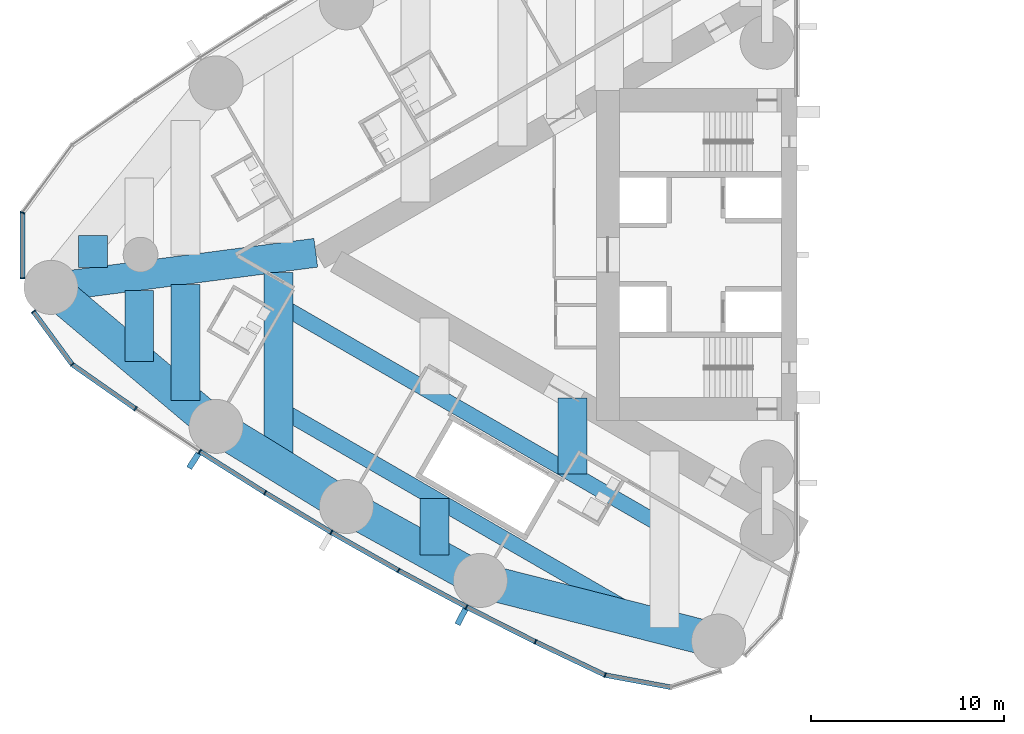
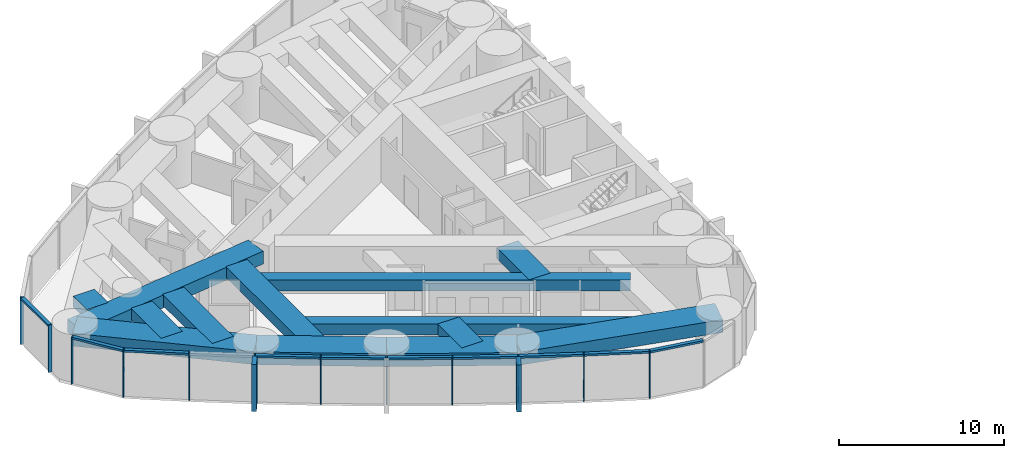
# One storey, part 2 of 19: 24 members, 13 beams, 2 elements without a shape of their own.
"""IFC4 building model written with IfcOpenShell, lengths in metres."""

from ifc_helpers import new_model, si_unit, direction, frame, origin, origin_2d, place, context, subcontext, project, spatial, rectangle, hollow_rectangle, extrude, material, material_profile, profile_set, type_object, element, aggregate, save


model = new_model("IFC4")

# Units and contexts
model_context = context("Model", 3, precision=1e-05, world=origin(), true_north=direction((0.0, 1.0)))
body_context = subcontext(model_context, "Body", "Model", "MODEL_VIEW")
ifc_project = project(units=[si_unit("LENGTHUNIT", "METRE"), si_unit("AREAUNIT", "SQUARE_METRE"), si_unit("VOLUMEUNIT", "CUBIC_METRE"), si_unit("PLANEANGLEUNIT", "RADIAN"), si_unit("MASSUNIT", "GRAM", prefix="KILO")], contexts=[model_context])

# Site, building, storey
site_placement = place(None, origin())
site = spatial("IfcSite", under=ifc_project, at=site_placement, CompositionType="ELEMENT")
building_placement = place(site_placement, origin())
building = spatial("IfcBuilding", under=site, at=building_placement, Name="Lancet Gate Hotel", CompositionType="ELEMENT")
storey_placement = place(building_placement, frame((0.0, 0.0, 170.300048828125)))
storey = spatial("IfcBuildingStorey", under=building, at=storey_placement, Name="L45", CompositionType="ELEMENT", Elevation=170.300048828125)

# Curtain wall, members
ifc_material_1 = material(Name="Aluminium curtain wall", Category="aluminium")
curtain_wall_type = type_object("IfcCurtainWallType", Name="Tower unitised curtain wall", PredefinedType="USERDEFINED", material=ifc_material_1)
curtain_wall_1_placement = place(storey_placement, origin())
curtain_wall_1 = element("IfcCurtainWall", 1, at=curtain_wall_1_placement, inside=storey, type_object=curtain_wall_type, Name="T1 L45 curtain wall 2", ObjectType="UNITISED CURTAIN WALL", PredefinedType="USERDEFINED")
ifc_material_2 = material(Name="Aluminium mullion", Category="aluminium")
ifc_material_profile_1 = material_profile(ifc_material_2, rectangle(XDim=0.06494140625, YDim=0.25, at=origin_2d()), Name="MULLION 65x250")
ifc_profile_set_1 = profile_set([ifc_material_profile_1], Name="Aluminium mullion")
member_type_1 = type_object("IfcMemberType", Name="Aluminium mullion 65x250", PredefinedType="MULLION", material=ifc_profile_set_1)
member_1_placement = place(storey_placement, frame((-67.61572265625, 2.177490234375, 0.0), z_axis=(0.0, 0.0, 1.0), x_axis=(-0.349199411078, -0.937048435943, 0.0)))
member_1 = element("IfcMember", 2, at=member_1_placement, type_object=member_type_1, Name="T1 L45 curtain wall 2 mullion 12", PredefinedType="MULLION", context=body_context, shape_type="SweptSolid", body=[
    extrude(rectangle(XDim=0.06494140625, YDim=0.25, at=origin_2d()), origin(), (0.0, 0.0, 1.0), 3.5),
])
member_2_placement = place(storey_placement, frame((-67.61572265625, -1.220458984375, 0.0), z_axis=(0.0, 0.0, 1.0), x_axis=(0.0, -1.0, 0.0)))
member_2 = element("IfcMember", 3, at=member_2_placement, type_object=member_type_1, Name="T1 L45 curtain wall 2 mullion 13", PredefinedType="MULLION", context=body_context, shape_type="SweptSolid", body=[
    extrude(rectangle(XDim=0.06494140625, YDim=0.25, at=origin_2d()), origin(), (0.0, 0.0, 1.0), 3.5),
])

curtain_wall_2_placement = place(storey_placement, origin())
curtain_wall_2 = element("IfcCurtainWall", 4, at=curtain_wall_2_placement, inside=storey, type_object=curtain_wall_type, Name="T1 L45 curtain wall 3", ObjectType="UNITISED CURTAIN WALL", PredefinedType="USERDEFINED")
member_3_placement = place(storey_placement, frame((-67.05029296875, -2.948486328125, 0.0), z_axis=(0.0, 0.0, 1.0), x_axis=(0.591299785592, -0.806451835858, 0.0)))
member_3 = element("IfcMember", 5, at=member_3_placement, type_object=member_type_1, Name="T1 L45 curtain wall 3 mullion 1", PredefinedType="MULLION", context=body_context, shape_type="SweptSolid", body=[
    extrude(rectangle(XDim=0.06494140625, YDim=0.25, at=origin_2d()), origin(), (0.0, 0.0, 1.0), 3.5),
])
member_4_placement = place(storey_placement, frame((-65.040283203125, -5.68994140625, 0.0), z_axis=(0.0, 0.0, 1.0), x_axis=(0.724381882759, -0.689398932354, 0.0)))
member_4 = element("IfcMember", 6, at=member_4_placement, type_object=member_type_1, Name="T1 L45 curtain wall 3 mullion 2", PredefinedType="MULLION", context=body_context, shape_type="SweptSolid", body=[
    extrude(rectangle(XDim=0.06494140625, YDim=0.25, at=origin_2d()), origin(), (0.0, 0.0, 1.0), 3.5),
])
member_5_placement = place(storey_placement, frame((-61.7626953125, -7.980712890625, 0.0), z_axis=(0.0, 0.0, 1.0), x_axis=(0.826312172542, -0.563212387568, 0.0)))
member_5 = element("IfcMember", 7, at=member_5_placement, type_object=member_type_1, Name="T1 L45 curtain wall 3 mullion 3", PredefinedType="MULLION", context=body_context, shape_type="SweptSolid", body=[
    extrude(rectangle(XDim=0.06494140625, YDim=0.25, at=origin_2d()), origin(), (0.0, 0.0, 1.0), 3.5),
])
member_6_placement = place(storey_placement, frame((-58.43212890625, -10.194091796875, 0.0), z_axis=(0.0, 0.0, 1.0), x_axis=(0.839331119324, -0.54362052218, 0.0)))
member_6 = element("IfcMember", 8, at=member_6_placement, type_object=member_type_1, Name="T1 L45 curtain wall 3 mullion 4", PredefinedType="MULLION", context=body_context, shape_type="SweptSolid", body=[
    extrude(rectangle(XDim=0.06494140625, YDim=0.25, at=origin_2d()), origin(), (0.0, 0.0, 1.0), 3.5),
])
member_7_placement = place(storey_placement, frame((-55.05029296875, -12.328369140625, 0.0), z_axis=(0.0, 0.0, 1.0), x_axis=(0.851885635531, -0.52372785297, 0.0)))
member_7 = element("IfcMember", 9, at=member_7_placement, type_object=member_type_1, Name="T1 L45 curtain wall 3 mullion 5", PredefinedType="MULLION", context=body_context, shape_type="SweptSolid", body=[
    extrude(rectangle(XDim=0.06494140625, YDim=0.25, at=origin_2d()), origin(), (0.0, 0.0, 1.0), 3.5),
])
member_8_placement = place(storey_placement, frame((-51.619384765625, -14.38232421875, 0.0), z_axis=(0.0, 0.0, 1.0), x_axis=(0.863968774311, -0.503545387245, 0.0)))
member_8 = element("IfcMember", 10, at=member_8_placement, type_object=member_type_1, Name="T1 L45 curtain wall 3 mullion 6", PredefinedType="MULLION", context=body_context, shape_type="SweptSolid", body=[
    extrude(rectangle(XDim=0.06494140625, YDim=0.25, at=origin_2d()), origin(), (0.0, 0.0, 1.0), 3.5),
])
member_9_placement = place(storey_placement, frame((-48.140869140625, -16.355224609375, 0.0), z_axis=(0.0, 0.0, 1.0), x_axis=(0.87557384965, -0.483084292654, 0.0)))
member_9 = element("IfcMember", 11, at=member_9_placement, type_object=member_type_1, Name="T1 L45 curtain wall 3 mullion 7", PredefinedType="MULLION", context=body_context, shape_type="SweptSolid", body=[
    extrude(rectangle(XDim=0.06494140625, YDim=0.25, at=origin_2d()), origin(), (0.0, 0.0, 1.0), 3.5),
])
member_10_placement = place(storey_placement, frame((-44.6171875, -18.245849609375, 0.0), z_axis=(0.0, 0.0, 1.0), x_axis=(0.886694440064, -0.462355891019, 0.0)))
member_10 = element("IfcMember", 12, at=member_10_placement, type_object=member_type_1, Name="T1 L45 curtain wall 3 mullion 8", PredefinedType="MULLION", context=body_context, shape_type="SweptSolid", body=[
    extrude(rectangle(XDim=0.06494140625, YDim=0.25, at=origin_2d()), origin(), (0.0, 0.0, 1.0), 3.5),
])
member_11_placement = place(storey_placement, frame((-41.0498046875, -20.052978515625, 0.0), z_axis=(0.0, 0.0, 1.0), x_axis=(0.897324392142, -0.441371652088, 0.0)))
member_11 = element("IfcMember", 13, at=member_11_placement, type_object=member_type_1, Name="T1 L45 curtain wall 3 mullion 9", PredefinedType="MULLION", context=body_context, shape_type="SweptSolid", body=[
    extrude(rectangle(XDim=0.06494140625, YDim=0.25, at=origin_2d()), origin(), (0.0, 0.0, 1.0), 3.5),
])
member_12_placement = place(storey_placement, frame((-37.44091796875, -21.775634765625, 0.0), z_axis=(0.0, 0.0, 1.0), x_axis=(0.948119321052, -0.317914694609, 0.0)))
member_12 = element("IfcMember", 14, at=member_12_placement, type_object=member_type_1, Name="T1 L45 curtain wall 3 mullion 10", PredefinedType="MULLION", context=body_context, shape_type="SweptSolid", body=[
    extrude(rectangle(XDim=0.06494140625, YDim=0.25, at=origin_2d()), origin(), (0.0, 0.0, 1.0), 3.5),
])

# Member
ifc_material_3 = material(Name="Aluminium transom", Category="aluminium")
ifc_material_profile_2 = material_profile(ifc_material_3, rectangle(XDim=0.25, YDim=0.14990234375, at=origin_2d()), Name="TRANSOM 250x150")
ifc_profile_set_2 = profile_set([ifc_material_profile_2], Name="Aluminium transom")
member_type_2 = type_object("IfcMemberType", Name="Aluminium transom 250x150", PredefinedType="USERDEFINED", material=ifc_profile_set_2)
member_13_placement = place(storey_placement, frame((-67.61572265625, 2.14501953125, 3.425048828125), z_axis=(0.0, -1.0, 0.0), x_axis=(1.0, 0.0, 0.0)))
member_13 = element("IfcMember", 15, at=member_13_placement, type_object=member_type_2, Name="T1 L45 curtain wall 2 transom 12", ObjectType="TRANSOM", PredefinedType="USERDEFINED", context=body_context, shape_type="SweptSolid", body=[
    extrude(rectangle(XDim=0.25, YDim=0.14990234375, at=origin_2d()), origin(), (0.0, 0.0, 1.0), 3.3330078125),
])

aggregate(curtain_wall_1, [member_1, member_2, member_13])

member_14_placement = place(storey_placement, frame((-67.031005859375, -2.974853515625, 3.425048828125), z_axis=(0.591306519832, -0.806446898193, 0.0), x_axis=(0.806446898193, 0.591306519832, 0.0)))
member_14 = element("IfcMember", 16, at=member_14_placement, type_object=member_type_2, Name="T1 L45 curtain wall 3 transom 1", ObjectType="TRANSOM", PredefinedType="USERDEFINED", context=body_context, shape_type="SweptSolid", body=[
    extrude(rectangle(XDim=0.25, YDim=0.14990234375, at=origin_2d()), origin(), (0.0, 0.0, 1.0), 3.333984375),
])

member_15_placement = place(storey_placement, frame((-65.013671875, -5.70849609375, 3.425048828125), z_axis=(0.819636985462, -0.572883244704, 0.0), x_axis=(0.572883244704, 0.819636985462, 0.0)))
member_15 = element("IfcMember", 17, at=member_15_placement, type_object=member_type_2, Name="T1 L45 curtain wall 3 transom 2", ObjectType="TRANSOM", PredefinedType="USERDEFINED", context=body_context, shape_type="SweptSolid", body=[
    extrude(rectangle(XDim=0.25, YDim=0.14990234375, at=origin_2d()), origin(), (0.0, 0.0, 1.0), 3.933837890625),
])

member_16_placement = place(storey_placement, frame((-58.40478515625, -10.21142578125, 3.425048828125), z_axis=(0.845671711095, -0.53370343549, 0.0), x_axis=(0.53370343549, 0.845671711095, 0.0)))
member_16 = element("IfcMember", 18, at=member_16_placement, type_object=member_type_2, Name="T1 L45 curtain wall 3 transom 4", ObjectType="TRANSOM", PredefinedType="USERDEFINED", context=body_context, shape_type="SweptSolid", body=[
    extrude(rectangle(XDim=0.25, YDim=0.14990234375, at=origin_2d()), origin(), (0.0, 0.0, 1.0), 3.93408203125),
])

member_17_placement = place(storey_placement, frame((-55.0224609375, -12.344970703125, 3.425048828125), z_axis=(0.857985365092, -0.513674131419, 0.0), x_axis=(0.513674131419, 0.857985365092, 0.0)))
member_17 = element("IfcMember", 19, at=member_17_placement, type_object=member_type_2, Name="T1 L45 curtain wall 3 transom 5", ObjectType="TRANSOM", PredefinedType="USERDEFINED", context=body_context, shape_type="SweptSolid", body=[
    extrude(rectangle(XDim=0.25, YDim=0.14990234375, at=origin_2d()), origin(), (0.0, 0.0, 1.0), 3.933837890625),
])

member_18_placement = place(storey_placement, frame((-51.591064453125, -14.3984375, 3.425048828125), z_axis=(0.869819807367, -0.493369539709, 0.0), x_axis=(0.493369539709, 0.869819807367, 0.0)))
member_18 = element("IfcMember", 20, at=member_18_placement, type_object=member_type_2, Name="T1 L45 curtain wall 3 transom 6", ObjectType="TRANSOM", PredefinedType="USERDEFINED", context=body_context, shape_type="SweptSolid", body=[
    extrude(rectangle(XDim=0.25, YDim=0.14990234375, at=origin_2d()), origin(), (0.0, 0.0, 1.0), 3.93408203125),
])

member_19_placement = place(storey_placement, frame((-48.1123046875, -16.37060546875, 3.425048828125), z_axis=(0.881185491994, -0.472770693571, 0.0), x_axis=(0.472770693571, 0.881185491994, 0.0)))
member_19 = element("IfcMember", 21, at=member_19_placement, type_object=member_type_2, Name="T1 L45 curtain wall 3 transom 7", ObjectType="TRANSOM", PredefinedType="USERDEFINED", context=body_context, shape_type="SweptSolid", body=[
    extrude(rectangle(XDim=0.25, YDim=0.14990234375, at=origin_2d()), origin(), (0.0, 0.0, 1.0), 3.93408203125),
])

member_20_placement = place(storey_placement, frame((-44.588134765625, -18.260498046875, 3.425048828125), z_axis=(0.892081477453, -0.451874581699, 0.0), x_axis=(0.451874581699, 0.892081477453, 0.0)))
member_20 = element("IfcMember", 22, at=member_20_placement, type_object=member_type_2, Name="T1 L45 curtain wall 3 transom 8", ObjectType="TRANSOM", PredefinedType="USERDEFINED", context=body_context, shape_type="SweptSolid", body=[
    extrude(rectangle(XDim=0.25, YDim=0.14990234375, at=origin_2d()), origin(), (0.0, 0.0, 1.0), 3.933837890625),
])

member_21_placement = place(storey_placement, frame((-41.0205078125, -20.06689453125, 3.425048828125), z_axis=(0.902468975385, -0.430754858902, 0.0), x_axis=(0.430754858902, 0.902468975385, 0.0)))
member_21 = element("IfcMember", 23, at=member_21_placement, type_object=member_type_2, Name="T1 L45 curtain wall 3 transom 9", ObjectType="TRANSOM", PredefinedType="USERDEFINED", context=body_context, shape_type="SweptSolid", body=[
    extrude(rectangle(XDim=0.25, YDim=0.14990234375, at=origin_2d()), origin(), (0.0, 0.0, 1.0), 3.93408203125),
])

member_22_placement = place(storey_placement, frame((-37.408935546875, -21.781494140625, 3.425048828125), z_axis=(0.983286757871, -0.182063592724, 0.0), x_axis=(0.182063592724, 0.983286757871, 0.0)))
member_22 = element("IfcMember", 24, at=member_22_placement, type_object=member_type_2, Name="T1 L45 curtain wall 3 transom 10", ObjectType="TRANSOM", PredefinedType="USERDEFINED", context=body_context, shape_type="SweptSolid", body=[
    extrude(rectangle(XDim=0.25, YDim=0.14990234375, at=origin_2d()), origin(), (0.0, 0.0, 1.0), 3.406005859375),
])

# Beams
ifc_material_4 = material(Name="Concrete C50/60", Category="concrete")
ifc_material_profile_3 = material_profile(ifc_material_4, rectangle(XDim=1.800048828125, YDim=0.949951171875, at=origin_2d()), Name="RC 1800x950")
ifc_profile_set_3 = profile_set([ifc_material_profile_3], Name="Concrete C50/60")
beam_type_1 = type_object("IfcBeamType", Name="Edge beam RC 1800x950", PredefinedType="SPANDREL", material=ifc_profile_set_3)
beam_1_placement = place(storey_placement, frame((-66.142578125, -1.6953125, 2.77490234375), z_axis=(0.765120708367, -0.64388687021, 0.0), x_axis=(0.64388687021, 0.765120708367, 0.0)))
element("IfcBeam", 25, at=beam_1_placement, inside=storey, type_object=beam_type_1, Name="T1 edge beam EB1 L45", PredefinedType="SPANDREL", context=body_context, shape_type="SweptSolid", body=[
    extrude(rectangle(XDim=1.800048828125, YDim=0.949951171875, at=origin_2d()), origin(), (0.0, 0.0, 1.0), 11.1787109375),
])
beam_2_placement = place(storey_placement, frame((-57.589599609375, -8.89306640625, 2.77490234375), z_axis=(0.851892008043, -0.523717487423, 0.0), x_axis=(0.523717487423, 0.851892008043, 0.0)))
element("IfcBeam", 26, at=beam_2_placement, inside=storey, type_object=beam_type_1, Name="T1 edge beam EB1 L45", PredefinedType="SPANDREL", context=body_context, shape_type="SweptSolid", body=[
    extrude(rectangle(XDim=1.800048828125, YDim=0.949951171875, at=origin_2d()), origin(), (0.0, 0.0, 1.0), 7.92431640625),
])
beam_3_placement = place(storey_placement, frame((-50.8388671875, -13.043212890625, 2.77490234375), z_axis=(0.875577684027, -0.483077342911, 0.0), x_axis=(0.483077342911, 0.875577684027, 0.0)))
element("IfcBeam", 27, at=beam_3_placement, inside=storey, type_object=beam_type_1, Name="T1 edge beam EB1 L45", PredefinedType="SPANDREL", context=body_context, shape_type="SweptSolid", body=[
    extrude(rectangle(XDim=1.800048828125, YDim=0.949951171875, at=origin_2d()), origin(), (0.0, 0.0, 1.0), 7.924560546875),
])
beam_4_placement = place(storey_placement, frame((-43.900390625, -16.871337890625, 2.77490234375), z_axis=(0.969008414312, -0.247027717052, 0.0), x_axis=(0.247027717052, 0.969008414312, 0.0)))
element("IfcBeam", 28, at=beam_4_placement, inside=storey, type_object=beam_type_1, Name="T1 edge beam EB1 L45", PredefinedType="SPANDREL", context=body_context, shape_type="SweptSolid", body=[
    extrude(rectangle(XDim=1.800048828125, YDim=0.949951171875, at=origin_2d()), origin(), (0.0, 0.0, 1.0), 12.7294921875),
])

# Member
ifc_material_5 = material(Name="Precast concrete C50/60", Category="concrete")
ifc_material_profile_4 = material_profile(ifc_material_5, rectangle(XDim=0.300048828125, YDim=0.89990234375, at=origin_2d()), Name="FIN 300x900")
ifc_profile_set_4 = profile_set([ifc_material_profile_4], Name="Precast concrete C50/60")
member_type_3 = type_object("IfcMemberType", Name="Exposed concrete fin 300x900", PredefinedType="USERDEFINED", material=ifc_profile_set_4)
member_23_placement = place(storey_placement, frame((-58.74462890625, -10.6767578125, 0.0), z_axis=(0.0, 0.0, 1.0), x_axis=(0.839331119324, -0.54362052218, 0.0)))
member_23 = element("IfcMember", 29, at=member_23_placement, type_object=member_type_3, Name="T1 L45 curtain wall 3 fin 4", ObjectType="FIN", PredefinedType="USERDEFINED", context=body_context, shape_type="SweptSolid", body=[
    extrude(rectangle(XDim=0.300048828125, YDim=0.89990234375, at=origin_2d()), origin(), (0.0, 0.0, 1.0), 3.5),
])

member_24_placement = place(storey_placement, frame((-44.883056640625, -18.755615234375, 0.0), z_axis=(0.0, 0.0, 1.0), x_axis=(0.886694440064, -0.462355891019, 0.0)))
member_24 = element("IfcMember", 30, at=member_24_placement, type_object=member_type_3, Name="T1 L45 curtain wall 3 fin 8", ObjectType="FIN", PredefinedType="USERDEFINED", context=body_context, shape_type="SweptSolid", body=[
    extrude(rectangle(XDim=0.300048828125, YDim=0.89990234375, at=origin_2d()), origin(), (0.0, 0.0, 1.0), 3.5),
])

aggregate(curtain_wall_2, [member_3, member_4, member_5, member_6, member_23, member_7, member_8, member_9, member_10, member_24, member_11, member_12, member_14, member_15, member_16, member_17, member_18, member_19, member_20, member_21, member_22])

# Beams
ifc_material_6 = material(Name="Concrete C50/60", Category="concrete")
ifc_material_profile_5 = material_profile(ifc_material_6, rectangle(XDim=1.5, YDim=0.800048828125, at=origin_2d()), Name="RC 1500x800")
ifc_profile_set_5 = profile_set([ifc_material_profile_5], Name="Concrete C50/60")
beam_type_2 = type_object("IfcBeamType", Name="Floor beam RC 1500x800", PredefinedType="BEAM", material=ifc_profile_set_5)
beam_5_placement = place(storey_placement, frame((-54.3681640625, -0.9130859375, 2.849853515625), z_axis=(0.0, -1.0, 0.0), x_axis=(1.0, 0.0, 0.0)))
element("IfcBeam", 31, at=beam_5_placement, inside=storey, type_object=beam_type_2, Name="T1 floor beam F11N L45", PredefinedType="BEAM", context=body_context, shape_type="SweptSolid", body=[
    extrude(rectangle(XDim=1.5, YDim=0.800048828125, at=origin_2d()), origin(), (0.0, 0.0, 1.0), 9.96044921875),
])
beam_6_placement = place(storey_placement, frame((-59.168212890625, -1.54052734375, 2.849853515625), z_axis=(0.0, -1.0, 0.0), x_axis=(1.0, 0.0, 0.0)))
element("IfcBeam", 32, at=beam_6_placement, inside=storey, type_object=beam_type_2, Name="T1 floor beam F13N L45", PredefinedType="BEAM", context=body_context, shape_type="SweptSolid", body=[
    extrude(rectangle(XDim=1.5, YDim=0.800048828125, at=origin_2d()), origin(), (0.0, 0.0, 1.0), 6.02392578125),
])
beam_7_placement = place(storey_placement, frame((-61.568359375, -1.85400390625, 2.849853515625), z_axis=(0.0, -1.0, 0.0), x_axis=(1.0, 0.0, 0.0)))
element("IfcBeam", 33, at=beam_7_placement, inside=storey, type_object=beam_type_2, Name="T1 floor beam F15N L45", PredefinedType="BEAM", context=body_context, shape_type="SweptSolid", body=[
    extrude(rectangle(XDim=1.5, YDim=0.800048828125, at=origin_2d()), origin(), (0.0, 0.0, 1.0), 3.69091796875),
])
beam_8_placement = place(storey_placement, frame((-63.96826171875, 0.996337890625, 2.849853515625), z_axis=(0.0, -1.0, 0.0), x_axis=(1.0, 0.0, 0.0)))
element("IfcBeam", 34, at=beam_8_placement, inside=storey, type_object=beam_type_2, Name="T1 floor beam F16S L45", PredefinedType="BEAM", context=body_context, shape_type="SweptSolid", body=[
    extrude(rectangle(XDim=1.5, YDim=0.800048828125, at=origin_2d()), origin(), (0.0, 0.0, 1.0), 1.6513671875),
])
beam_9_placement = place(storey_placement, frame((-39.122314453125, -7.41650390625, 2.849853515625), z_axis=(0.0, -1.0, 0.0), x_axis=(1.0, 0.0, 0.0)))
element("IfcBeam", 35, at=beam_9_placement, inside=storey, type_object=beam_type_2, Name="T1 floor beam F05NA L45", PredefinedType="BEAM", context=body_context, shape_type="SweptSolid", body=[
    extrude(rectangle(XDim=1.5, YDim=0.800048828125, at=origin_2d()), origin(), (0.0, 0.0, 1.0), 3.945556640625),
])
beam_10_placement = place(storey_placement, frame((-46.27587890625, -12.61962890625, 2.849853515625), z_axis=(0.0, -1.0, 0.0), x_axis=(1.0, 0.0, 0.0)))
element("IfcBeam", 36, at=beam_10_placement, inside=storey, type_object=beam_type_2, Name="T1 floor beam F08NB L45", PredefinedType="BEAM", context=body_context, shape_type="SweptSolid", body=[
    extrude(rectangle(XDim=1.5, YDim=0.800048828125, at=origin_2d()), origin(), (0.0, 0.0, 1.0), 2.941162109375),
])
ifc_material_7 = material(Name="Concrete C50/60", Category="concrete")
ifc_material_profile_6 = material_profile(ifc_material_7, rectangle(XDim=1.5, YDim=0.949951171875, at=origin_2d()), Name="RC 1500x950")
ifc_profile_set_6 = profile_set([ifc_material_profile_6], Name="Concrete C50/60")
beam_type_3 = type_object("IfcBeamType", Name="Radial floor beam RC 1500x950", PredefinedType="BEAM", material=ifc_profile_set_6)
beam_11_placement = place(storey_placement, frame((-66.142578125, -1.6953125, 2.77490234375), z_axis=(0.991571259053, 0.129562487702, 0.0), x_axis=(-0.129562487702, 0.991571259053, 0.0)))
element("IfcBeam", 37, at=beam_11_placement, inside=storey, type_object=beam_type_3, Name="T1 radial beam CA L45", PredefinedType="BEAM", context=body_context, shape_type="SweptSolid", body=[
    extrude(rectangle(XDim=1.5, YDim=0.949951171875, at=origin_2d()), origin(), (0.0, 0.0, 1.0), 13.8349609375),
])
ifc_material_8 = material(Name="Steel S460QL", Category="steel")
ifc_material_profile_7 = material_profile(ifc_material_8, hollow_rectangle(XDim=0.800048828125, YDim=0.800048828125, WallThickness=0.080078125, at=origin_2d()), Name="BOX 800x800x80")
ifc_profile_set_7 = profile_set([ifc_material_profile_7], Name="Steel S460QL")
beam_type_4 = type_object("IfcBeamType", Name="Trimmer beam BOX 800x800x80", PredefinedType="BEAM", material=ifc_profile_set_7)
beam_12_placement = place(storey_placement, frame((-34.353515625, -14.115234375, 2.849853515625), z_axis=(-0.866035353112, 0.499982766863, 0.0), x_axis=(-0.499982766863, -0.866035353112, 0.0)))
element("IfcBeam", 38, at=beam_12_placement, inside=storey, type_object=beam_type_4, Name="T1 trimmer beam TR01N L45", PredefinedType="BEAM", context=body_context, shape_type="SweptSolid", body=[
    extrude(hollow_rectangle(XDim=0.800048828125, YDim=0.800048828125, WallThickness=0.080078125, at=origin_2d()), origin(), (0.0, 0.0, 1.0), 23.110595703125),
])
beam_13_placement = place(storey_placement, frame((-34.966552734375, -19.14892578125, 2.849853515625), z_axis=(-0.866032239169, 0.499988160579, 0.0), x_axis=(-0.499988160579, -0.866032239169, 0.0)))
element("IfcBeam", 39, at=beam_13_placement, inside=storey, type_object=beam_type_4, Name="T1 trimmer beam TR02N L45", PredefinedType="BEAM", context=body_context, shape_type="SweptSolid", body=[
    extrude(hollow_rectangle(XDim=0.800048828125, YDim=0.800048828125, WallThickness=0.080078125, at=origin_2d()), origin(), (0.0, 0.0, 1.0), 22.40283203125),
])

save(model, "model.ifc")
